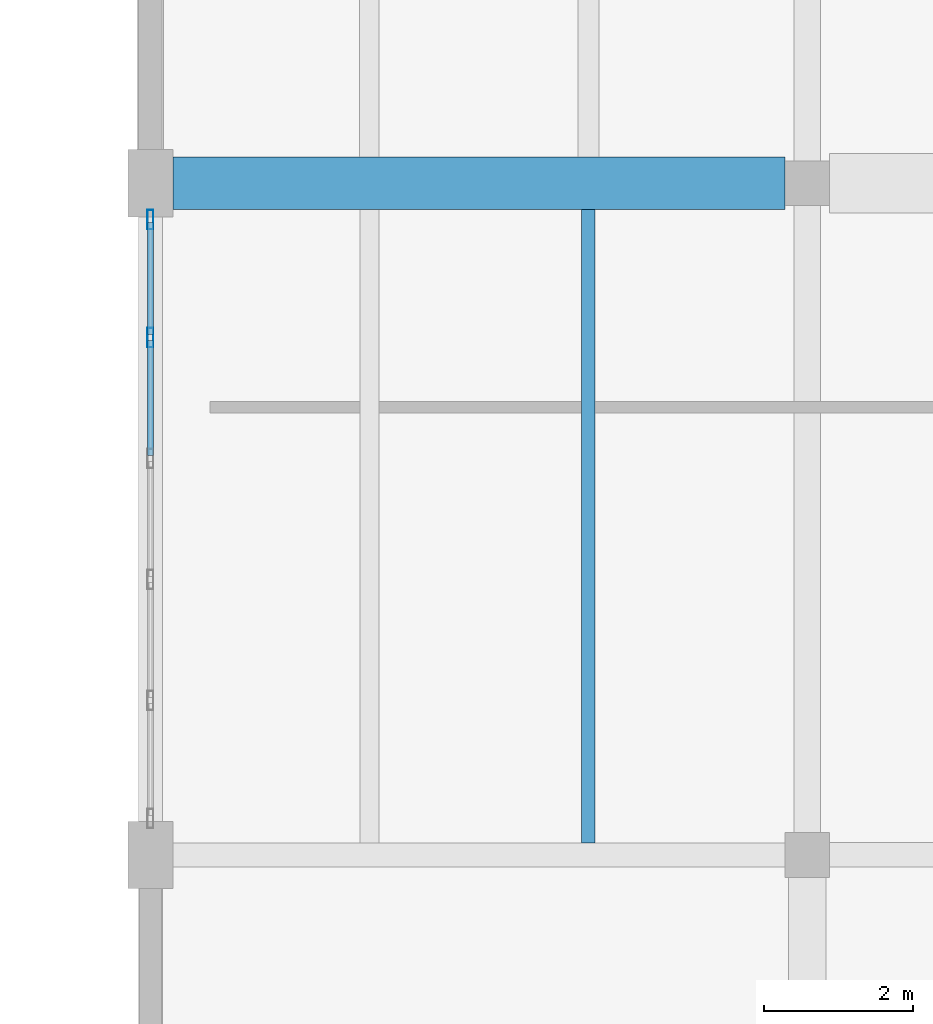
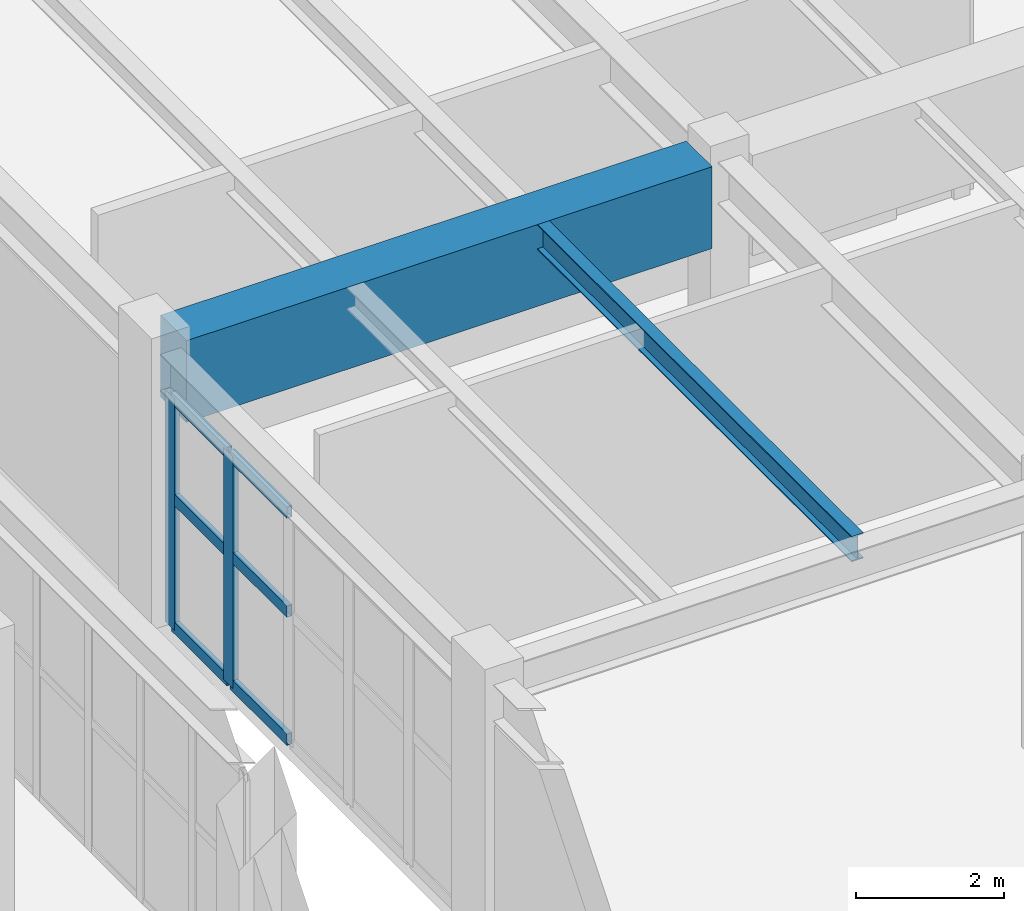
# One storey, part 31 of 96: 8 members, 2 beams, 1 element without a shape of its own.
"""IFC4 building model written with IfcOpenShell, lengths in metres."""

import ifcopenshell
import ifcopenshell.guid

model = None  # the IFC model being written
_history = None  # IfcOwnerHistory: only IFC2X3 demands one
_inside = {}  # id of a spatial element -> (the spatial element, [elements in it])
_under = {}  # id of a project, library or spatial element -> (it, [spatial elements below it])
_declared = {}  # id of a project -> (the project, [libraries it declares])
_typed = {}  # id of a type object -> (the type object, [elements of that type])
_made_of = {}  # id of a material, layer set ... -> (it, [elements and type objects made of it])


def new_model(schema):
    """Start an empty IFC model of exactly this schema.

    Asked for "IFC4X3", IfcOpenShell would pick the latest addendum, in which some entities
    have other attributes; the version numbers below select the first issue.
    IFC2X3 requires an IfcOwnerHistory on every rooted entity: one is made here for all.
    """
    global model, _history
    if schema == "IFC4X3":
        model = ifcopenshell.file(schema_version=(4, 3, 0, 0))
    else:
        model = ifcopenshell.file(schema=schema)
    _inside.clear()
    _under.clear()
    _declared.clear()
    _typed.clear()
    _made_of.clear()
    _history = None
    if model.schema == "IFC2X3":
        org = make("IfcOrganization", Name="unknown")
        user = make(
            "IfcPersonAndOrganization",
            ThePerson=make("IfcPerson", FamilyName="unknown"),
            TheOrganization=org,
        )
        app = make(
            "IfcApplication",
            ApplicationDeveloper=org,
            Version="unknown",
            ApplicationFullName="unknown",
            ApplicationIdentifier="unknown",
        )
        _history = make(
            "IfcOwnerHistory",
            OwningUser=user,
            OwningApplication=app,
            ChangeAction="ADDED",
            CreationDate=0,
        )
    return model


def make(cls, **values):
    """One entity of the class cls with the attributes given. An attribute that is None is left unset."""
    return model.create_entity(
        cls, **{name: value for name, value in values.items() if value is not None}
    )


def rooted(cls, **values):
    """An entity with a GlobalId (a new one), such as an element, a storey or a relation."""
    return make(cls, GlobalId=ifcopenshell.guid.new(), OwnerHistory=_history, **values)


def si_unit(unit_type, name, prefix=None):
    """IfcSIUnit, for example si_unit("LENGTHUNIT", "METRE", prefix="MILLI")."""
    return make("IfcSIUnit", UnitType=unit_type, Prefix=prefix, Name=name)


def assignment(units):
    """IfcUnitAssignment: the units of a project."""
    return None if units is None else make("IfcUnitAssignment", Units=units)


def point(xyz):
    """IfcCartesianPoint."""
    return None if xyz is None else make("IfcCartesianPoint", Coordinates=xyz)


def direction(xyz):
    """IfcDirection."""
    return None if xyz is None else make("IfcDirection", DirectionRatios=xyz)


def frame(location, z_axis=None, x_axis=None):
    """IfcAxis2Placement3D, a coordinate frame: its origin and axes. An axis left out is left unset."""
    return make(
        "IfcAxis2Placement3D",
        Location=point(location),
        Axis=direction(z_axis),
        RefDirection=direction(x_axis),
    )


def frame_2d(location, x_axis=None):
    """IfcAxis2Placement2D, a coordinate frame in the plane: its origin and x axis."""
    return make(
        "IfcAxis2Placement2D", Location=point(location), RefDirection=direction(x_axis)
    )


def origin():
    """The frame at (0, 0, 0) with its axes left unset."""
    return frame((0.0, 0.0, 0.0))


def origin_2d():
    """The frame at (0, 0) in the plane with its x axis left unset."""
    return frame_2d((0.0, 0.0))


def place(relative_to, where):
    """IfcLocalPlacement: puts the frame where relative to a parent placement (None: the world)."""
    return make(
        "IfcLocalPlacement", PlacementRelTo=relative_to, RelativePlacement=where
    )


def context(
    kind, dimensions, precision=None, world=None, true_north=None, identifier=None
):
    """IfcGeometricRepresentationContext, for example the 3D "Model" context."""
    return make(
        "IfcGeometricRepresentationContext",
        ContextIdentifier=identifier,
        ContextType=kind,
        CoordinateSpaceDimension=dimensions,
        Precision=precision,
        WorldCoordinateSystem=world,
        TrueNorth=true_north,
    )


def subcontext(parent, identifier, kind, view, scale=None):
    """IfcGeometricRepresentationSubContext, for example "Body" below "Model"."""
    return make(
        "IfcGeometricRepresentationSubContext",
        ContextIdentifier=identifier,
        ContextType=kind,
        ParentContext=parent,
        TargetScale=scale,
        TargetView=view,
    )


def project(units=None, contexts=None):
    """IfcProject with its units and contexts."""
    return rooted(
        "IfcProject",
        Name="project",
        RepresentationContexts=contexts,
        UnitsInContext=assignment(units),
    )


def spatial(cls, under=None, at=None, **own):
    """A site, building, storey or space (cls), placed at a placement, below another one or the project."""
    s = rooted(cls, ObjectPlacement=at, **own)
    if under is not None:
        _under.setdefault(under.id(), (under, []))[1].append(s)
    return s


def profile(cls, at=None, kind="AREA", **sizes):
    """A parametric profile (cls). Its sizes go by their IFC names, for example OverallWidth=200.0."""
    return make(cls, ProfileType=kind, Position=at, **sizes)


def rectangle(**sizes):
    """IfcRectangleProfileDef."""
    return profile("IfcRectangleProfileDef", **sizes)


def hollow_rectangle(**sizes):
    """IfcRectangleHollowProfileDef."""
    return profile("IfcRectangleHollowProfileDef", **sizes)


def i_section(**sizes):
    """IfcIShapeProfileDef."""
    return profile("IfcIShapeProfileDef", **sizes)


def extrude(swept, where, along, depth):
    """IfcExtrudedAreaSolid: the profile swept, set in the frame where, extruded along a direction by depth."""
    return make(
        "IfcExtrudedAreaSolid",
        SweptArea=swept,
        Position=where,
        ExtrudedDirection=direction(along),
        Depth=depth,
    )


def shape(context_of_items, identifier, shape_type, items):
    """IfcShapeRepresentation: the items that make up one representation, for example the "Body"."""
    return make(
        "IfcShapeRepresentation",
        ContextOfItems=context_of_items,
        RepresentationIdentifier=identifier,
        RepresentationType=shape_type,
        Items=items,
    )


def material(Name=None, Category=None):
    """IfcMaterial."""
    return make("IfcMaterial", Name=Name, Category=Category)


def layer(
    of_material, thickness, ventilated=None, Name=None, Category=None, Priority=None
):
    """IfcMaterialLayer: one layer of a wall or slab, of a material (None: an air gap)."""
    return make(
        "IfcMaterialLayer",
        Material=of_material,
        LayerThickness=thickness,
        IsVentilated=ventilated,
        Name=Name,
        Category=Category,
        Priority=Priority,
    )


def layer_set(layers, Name=None):
    """IfcMaterialLayerSet."""
    return make("IfcMaterialLayerSet", MaterialLayers=layers, LayerSetName=Name)


def material_profile(
    of_material, cross_section, Name=None, Category=None, Priority=None
):
    """IfcMaterialProfile: a cross section and its material."""
    return make(
        "IfcMaterialProfile",
        Name=Name,
        Material=of_material,
        Profile=cross_section,
        Priority=Priority,
        Category=Category,
    )


def profile_set(profiles, Name=None, composite=None):
    """IfcMaterialProfileSet."""
    return make(
        "IfcMaterialProfileSet",
        Name=Name,
        MaterialProfiles=profiles,
        CompositeProfile=composite,
    )


def made_of(thing, what):
    """Note that an element or type object is made of a material, layer set ...; save() writes the relation."""
    if what is not None:
        _made_of.setdefault(what.id(), (what, []))[1].append(thing)
    return thing


def type_object(cls, material=None, **own):
    """A type object (cls), such as IfcWallType, which elements share."""
    return made_of(rooted(cls, **own), material)


def element(
    cls,
    number,
    at=None,
    inside=None,
    cuts=None,
    type_object=None,
    material=None,
    context=None,
    identifier="Body",
    shape_type=None,
    held_by="IfcProductDefinitionShape",
    body=None,
    shapes=None,
    **own,
):
    """One element of the class cls, such as IfcWall. Its Tag is "e" and its number.

    at: its placement. inside: the storey or other place that contains it. cuts: it is an
    opening in that element (IfcRelVoidsElement). A single representation is given by context,
    identifier, shape_type and body (its items); several are given by shapes. held_by: the class
    of the entity that holds the representations. save() writes the other relations.
    """
    e = rooted(cls, Tag="e%d" % number, ObjectPlacement=at, **own)
    if body is not None:
        shapes = [shape(context, identifier, shape_type, body)]
    if shapes is not None:
        e.Representation = make(held_by, Representations=shapes)
    if inside is not None:
        _inside.setdefault(inside.id(), (inside, []))[1].append(e)
    if cuts is not None:
        rooted(
            "IfcRelVoidsElement", RelatingBuildingElement=cuts, RelatedOpeningElement=e
        )
    if type_object is not None:
        _typed.setdefault(type_object.id(), (type_object, []))[1].append(e)
    return made_of(e, material)


def aggregate(whole, parts):
    """IfcRelAggregates: a whole, such as a stair, and the parts it consists of."""
    return rooted("IfcRelAggregates", RelatingObject=whole, RelatedObjects=parts)


def save(model, path):
    """Write the relations noted so far, then the file.

    IfcRelAggregates (storeys below a building ...), IfcRelContainedInSpatialStructure (elements
    in a storey), IfcRelDefinesByType, IfcRelAssociatesMaterial and IfcRelDeclares: one each for
    every whole, place, type object, material and project.
    """
    for whole, parts in _under.values():
        aggregate(whole, parts)
    for where, things in _inside.values():
        rooted(
            "IfcRelContainedInSpatialStructure",
            RelatedElements=things,
            RelatingStructure=where,
        )
    for kind, things in _typed.values():
        rooted("IfcRelDefinesByType", RelatedObjects=things, RelatingType=kind)
    for what, things in _made_of.values():
        rooted("IfcRelAssociatesMaterial", RelatedObjects=things, RelatingMaterial=what)
    for by, libraries in _declared.values():
        rooted("IfcRelDeclares", RelatingContext=by, RelatedDefinitions=libraries)
    model.write(path)


model = new_model("IFC4")

# Units and contexts
model_context = context("Model", 3, precision=1e-05, world=origin(), true_north=direction((0.0, 1.0)))
body_context = subcontext(model_context, "Body", "Model", "MODEL_VIEW")
ifc_project = project(units=[si_unit("LENGTHUNIT", "METRE"), si_unit("AREAUNIT", "SQUARE_METRE"), si_unit("VOLUMEUNIT", "CUBIC_METRE"), si_unit("PLANEANGLEUNIT", "RADIAN"), si_unit("MASSUNIT", "GRAM", prefix="KILO")], contexts=[model_context])

# Site, building, storey
site_placement = place(None, origin())
site = spatial("IfcSite", under=ifc_project, at=site_placement, CompositionType="ELEMENT")
building_placement = place(site_placement, origin())
building = spatial("IfcBuilding", under=site, at=building_placement, Name="Vaelkrest Opera House", CompositionType="ELEMENT")
storey_placement = place(building_placement, frame((0.0, 0.0, 5.39990234375)))
storey = spatial("IfcBuildingStorey", under=building, at=storey_placement, Name="L01", CompositionType="ELEMENT", Elevation=5.39990234375)

# Beam
ifc_material_1 = material(Name="Concrete C50/60", Category="concrete")
ifc_material_profile_1 = material_profile(ifc_material_1, rectangle(XDim=0.699951171875, YDim=1.35009765625, at=origin_2d()), Name="RCB700X1350")
ifc_profile_set_1 = profile_set([ifc_material_profile_1], Name="Concrete C50/60")
beam_type_1 = type_object("IfcBeamType", Name="B06", PredefinedType="BEAM", material=ifc_profile_set_1)
beam_1_placement = place(storey_placement, frame((33.89990234375, -19.800048828125, 3.8251953125), z_axis=(1.0, 0.0, 0.0), x_axis=(0.0, 1.0, 0.0)))
element("IfcBeam", 1, at=beam_1_placement, inside=storey, type_object=beam_type_1, Name="Beam BM-V4-L01-2127", PredefinedType="BEAM", context=body_context, shape_type="SweptSolid", body=[
    extrude(rectangle(XDim=0.699951171875, YDim=1.35009765625, at=origin_2d()), origin(), (0.0, 0.0, 1.0), 8.2001953125),
])

# Curtain wall, members
ifc_material_2 = material(Name="Dark bronze anodized aluminium", Category="aluminium")
ifc_layer = layer(ifc_material_2, 0.2099609375)
ifc_layer_set = layer_set([ifc_layer], Name="Dark bronze anodized aluminium")
curtain_wall_type = type_object("IfcCurtainWallType", Name="CW04", PredefinedType="NOTDEFINED", material=ifc_layer_set)
curtain_wall_placement = place(storey_placement, origin())
curtain_wall = element("IfcCurtainWall", 2, at=curtain_wall_placement, inside=storey, type_object=curtain_wall_type, Name="Curtain wall CW-L01-154", PredefinedType="NOTDEFINED")
ifc_material_profile_2 = material_profile(ifc_material_2, hollow_rectangle(XDim=0.080078125, YDim=0.260009765625, WallThickness=0.0048828125, at=origin_2d()), Name="CWM80X260")
ifc_profile_set_2 = profile_set([ifc_material_profile_2], Name="Dark bronze anodized aluminium")
member_type_1 = type_object("IfcMemberType", Name="CWM04", PredefinedType="MULLION", material=ifc_profile_set_2)
member_1_placement = place(storey_placement, frame((33.60009765625, -21.868896484375, 0.0), z_axis=(0.0, 0.0, 1.0), x_axis=(-1.0, 0.0, 0.0)))
member_1 = element("IfcMember", 3, at=member_1_placement, type_object=member_type_1, Name="CW04 mullion 5", PredefinedType="MULLION", context=body_context, shape_type="SweptSolid", body=[
    extrude(hollow_rectangle(XDim=0.080078125, YDim=0.260009765625, WallThickness=0.0048828125, at=origin_2d()), origin(), (0.0, 0.0, 1.0), 3.82421875),
])
member_2_placement = place(storey_placement, frame((33.60009765625, -20.2880859375, 0.0), z_axis=(0.0, 0.0, 1.0), x_axis=(-1.0, 0.0, 0.0)))
member_2 = element("IfcMember", 4, at=member_2_placement, type_object=member_type_1, Name="CW04 mullion 6", PredefinedType="MULLION", context=body_context, shape_type="SweptSolid", body=[
    extrude(hollow_rectangle(XDim=0.080078125, YDim=0.260009765625, WallThickness=0.0048828125, at=origin_2d()), origin(), (0.0, 0.0, 1.0), 3.82421875),
])
ifc_material_profile_3 = material_profile(ifc_material_2, hollow_rectangle(XDim=0.080078125, YDim=0.18994140625, WallThickness=0.0048828125, at=origin_2d()), Name="CWT80X190")
ifc_profile_set_3 = profile_set([ifc_material_profile_3], Name="Dark bronze anodized aluminium")
member_type_2 = type_object("IfcMemberType", Name="CWT04", PredefinedType="USERDEFINED", material=ifc_profile_set_3)
member_3_placement = place(storey_placement, frame((33.60009765625, -23.44970703125, 0.0400390625), z_axis=(0.0, 1.0, 0.0), x_axis=(-1.0, 0.0, 0.0)))
member_3 = element("IfcMember", 5, at=member_3_placement, type_object=member_type_2, Name="CW04 transom 4.1", ObjectType="TRANSOM", PredefinedType="USERDEFINED", context=body_context, shape_type="SweptSolid", body=[
    extrude(hollow_rectangle(XDim=0.080078125, YDim=0.18994140625, WallThickness=0.0048828125, at=origin_2d()), origin(), (0.0, 0.0, 1.0), 1.541015625),
])
member_4_placement = place(storey_placement, frame((33.60009765625, -23.44970703125, 2.150146484375), z_axis=(0.0, 1.0, 0.0), x_axis=(-1.0, 0.0, 0.0)))
member_4 = element("IfcMember", 6, at=member_4_placement, type_object=member_type_2, Name="CW04 transom 4.2", ObjectType="TRANSOM", PredefinedType="USERDEFINED", context=body_context, shape_type="SweptSolid", body=[
    extrude(hollow_rectangle(XDim=0.080078125, YDim=0.18994140625, WallThickness=0.0048828125, at=origin_2d()), origin(), (0.0, 0.0, 1.0), 1.541015625),
])
member_5_placement = place(storey_placement, frame((33.60009765625, -23.44970703125, 3.7841796875), z_axis=(0.0, 1.0, 0.0), x_axis=(-1.0, 0.0, 0.0)))
member_5 = element("IfcMember", 7, at=member_5_placement, type_object=member_type_2, Name="CW04 transom 4.3", ObjectType="TRANSOM", PredefinedType="USERDEFINED", context=body_context, shape_type="SweptSolid", body=[
    extrude(hollow_rectangle(XDim=0.080078125, YDim=0.18994140625, WallThickness=0.0048828125, at=origin_2d()), origin(), (0.0, 0.0, 1.0), 1.541015625),
])
member_6_placement = place(storey_placement, frame((33.60009765625, -21.828857421875, 0.0400390625), z_axis=(0.0, 1.0, 0.0), x_axis=(-1.0, 0.0, 0.0)))
member_6 = element("IfcMember", 8, at=member_6_placement, type_object=member_type_2, Name="CW04 transom 5.1", ObjectType="TRANSOM", PredefinedType="USERDEFINED", context=body_context, shape_type="SweptSolid", body=[
    extrude(hollow_rectangle(XDim=0.080078125, YDim=0.18994140625, WallThickness=0.0048828125, at=origin_2d()), origin(), (0.0, 0.0, 1.0), 1.5009765625),
])
member_7_placement = place(storey_placement, frame((33.60009765625, -21.828857421875, 2.150146484375), z_axis=(0.0, 1.0, 0.0), x_axis=(-1.0, 0.0, 0.0)))
member_7 = element("IfcMember", 9, at=member_7_placement, type_object=member_type_2, Name="CW04 transom 5.2", ObjectType="TRANSOM", PredefinedType="USERDEFINED", context=body_context, shape_type="SweptSolid", body=[
    extrude(hollow_rectangle(XDim=0.080078125, YDim=0.18994140625, WallThickness=0.0048828125, at=origin_2d()), origin(), (0.0, 0.0, 1.0), 1.5009765625),
])
member_8_placement = place(storey_placement, frame((33.60009765625, -21.828857421875, 3.7841796875), z_axis=(0.0, 1.0, 0.0), x_axis=(-1.0, 0.0, 0.0)))
member_8 = element("IfcMember", 10, at=member_8_placement, type_object=member_type_2, Name="CW04 transom 5.3", ObjectType="TRANSOM", PredefinedType="USERDEFINED", context=body_context, shape_type="SweptSolid", body=[
    extrude(hollow_rectangle(XDim=0.080078125, YDim=0.18994140625, WallThickness=0.0048828125, at=origin_2d()), origin(), (0.0, 0.0, 1.0), 1.5009765625),
])
aggregate(curtain_wall, [member_1, member_2, member_3, member_4, member_5, member_6, member_7, member_8])

# Beam
ifc_material_3 = material(Name="Steel A992 Gr50", Category="steel")
ifc_material_profile_4 = material_profile(ifc_material_3, i_section(OverallWidth=0.180908203125, OverallDepth=0.4169921875, WebThickness=0.010986328125, FlangeThickness=0.018310546875, at=origin_2d()), Name="W16X57")
ifc_profile_set_4 = profile_set([ifc_material_profile_4], Name="Steel A992 Gr50")
beam_type_2 = type_object("IfcBeamType", Name="J07", PredefinedType="JOIST", material=ifc_profile_set_4)
beam_2_placement = place(storey_placement, frame((39.467041015625, -28.637939453125, 4.29150390625), z_axis=(0.0, 1.0, 0.0), x_axis=(-1.0, 0.0, 0.0)))
element("IfcBeam", 11, at=beam_2_placement, inside=storey, type_object=beam_type_2, Name="Floor joist JST-V4-L01-2217", PredefinedType="JOIST", context=body_context, shape_type="SweptSolid", body=[
    extrude(i_section(OverallWidth=0.180908203125, OverallDepth=0.4169921875, WebThickness=0.010986328125, FlangeThickness=0.018310546875, at=origin_2d()), origin(), (0.0, 0.0, 1.0), 8.488037109375),
])

save(model, "model.ifc")
